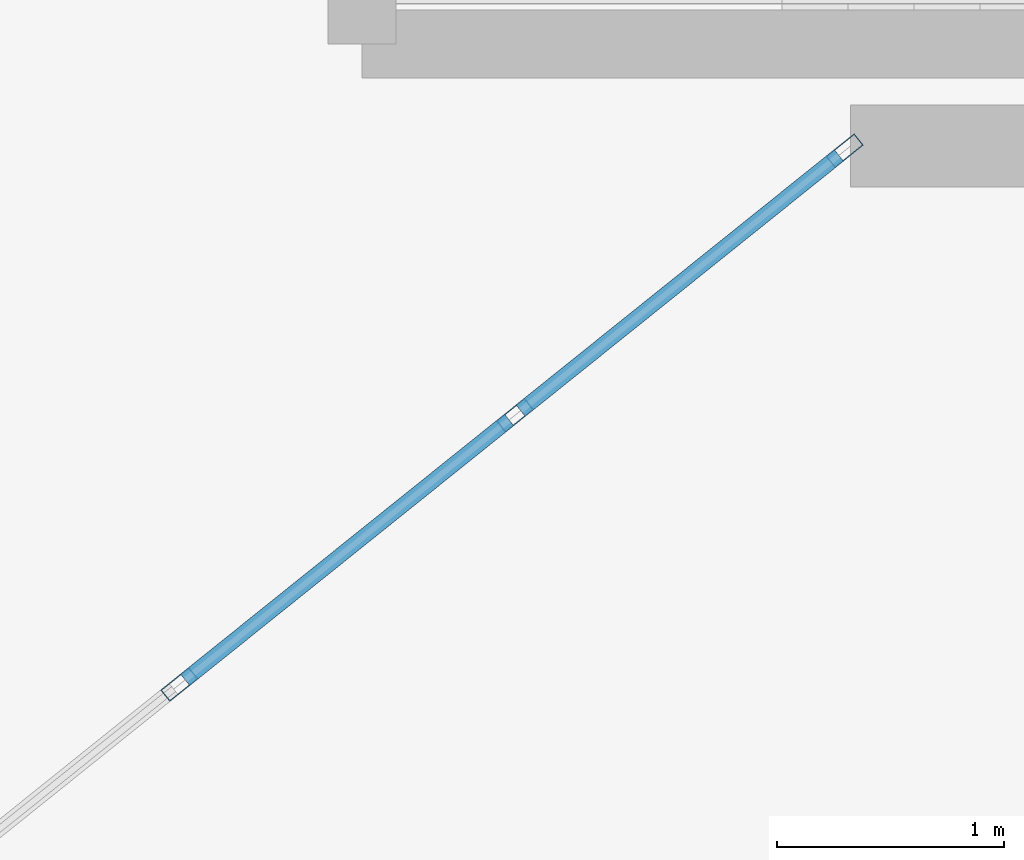
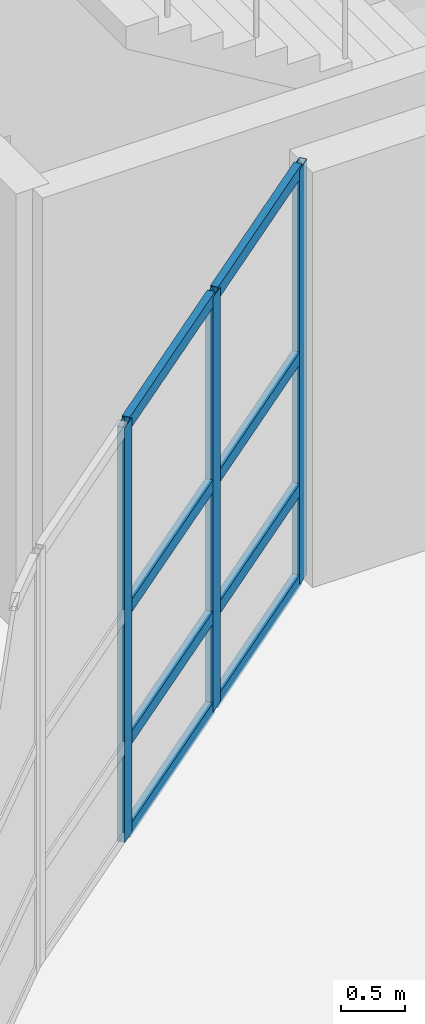
# One storey, part 50 of 114: 11 members, 1 element without a shape of its own.
"""IFC4 building model written with IfcOpenShell, lengths in metres."""

from ifc_helpers import new_model, si_unit, direction, frame, origin, origin_2d, place, context, subcontext, project, spatial, hollow_rectangle, extrude, material, layer, layer_set, material_profile, profile_set, type_object, element, aggregate, save


model = new_model("IFC4")

# Units and contexts
model_context = context("Model", 3, precision=1e-05, world=origin(), true_north=direction((0.0, 1.0)))
body_context = subcontext(model_context, "Body", "Model", "MODEL_VIEW")
ifc_project = project(units=[si_unit("LENGTHUNIT", "METRE"), si_unit("AREAUNIT", "SQUARE_METRE"), si_unit("VOLUMEUNIT", "CUBIC_METRE"), si_unit("PLANEANGLEUNIT", "RADIAN"), si_unit("MASSUNIT", "GRAM", prefix="KILO")], contexts=[model_context])

# Site, building, storey
site_placement = place(None, origin())
site = spatial("IfcSite", under=ifc_project, at=site_placement, CompositionType="ELEMENT")
building_placement = place(site_placement, origin())
building = spatial("IfcBuilding", under=site, at=building_placement, Name="Keldmere Railside Commons", CompositionType="ELEMENT")
storey_placement = place(building_placement, origin())
storey = spatial("IfcBuildingStorey", under=building, at=storey_placement, Name="L00", CompositionType="ELEMENT", Elevation=0.0)

# Curtain wall, members
ifc_material = material(Name="Thermally Broken Aluminium", Category="aluminium")
ifc_layer = layer(ifc_material, 0.159912109375, Name="Residential Ground Entrance Lobby CW 4000x3600")
ifc_layer_set = layer_set([ifc_layer], Name="Thermally Broken Aluminium")
curtain_wall_type = type_object("IfcCurtainWallType", Name="Residential Ground Entrance Lobby CW 4000x3600", PredefinedType="NOTDEFINED", material=ifc_layer_set)
curtain_wall_placement = place(storey_placement, origin())
curtain_wall = element("IfcCurtainWall", 1, at=curtain_wall_placement, inside=storey, type_object=curtain_wall_type, Name="CW-10 CW-L00-087", PredefinedType="NOTDEFINED")
ifc_material_profile_1 = material_profile(ifc_material, hollow_rectangle(XDim=0.06494140625, YDim=0.159912109375, WallThickness=0.00390625, at=origin_2d()), Name="ALU-MULL-65x160")
ifc_profile_set_1 = profile_set([ifc_material_profile_1], Name="Thermally Broken Aluminium")
member_type_1 = type_object("IfcMemberType", Name="Unitised Curtain Wall Mullion 65x160", PredefinedType="MULLION", material=ifc_profile_set_1)
member_1_placement = place(storey_placement, frame((131.974609375, 99.979736328125, 0.0), z_axis=(0.0, 0.0, 1.0), x_axis=(0.625768080915, -0.780009172323, 0.0)))
member_1 = element("IfcMember", 2, at=member_1_placement, type_object=member_type_1, Name="CW-10 mullion 1", PredefinedType="MULLION", context=body_context, shape_type="SweptSolid", body=[
    extrude(hollow_rectangle(XDim=0.06494140625, YDim=0.159912109375, WallThickness=0.00390625, at=origin_2d()), origin(), (0.0, 0.0, 1.0), 3.93994140625),
])
member_2_placement = place(storey_placement, frame((130.5234375, 98.8154296875, 0.0), z_axis=(0.0, 0.0, 1.0), x_axis=(0.625768080915, -0.780009172323, 0.0)))
member_2 = element("IfcMember", 3, at=member_2_placement, type_object=member_type_1, Name="CW-10 mullion 2", PredefinedType="MULLION", context=body_context, shape_type="SweptSolid", body=[
    extrude(hollow_rectangle(XDim=0.06494140625, YDim=0.159912109375, WallThickness=0.00390625, at=origin_2d()), origin(), (0.0, 0.0, 1.0), 3.93994140625),
])
member_3_placement = place(storey_placement, frame((129.046630859375, 97.630615234375, 0.0), z_axis=(0.0, 0.0, 1.0), x_axis=(0.625768080915, -0.780009172323, 0.0)))
member_3 = element("IfcMember", 4, at=member_3_placement, type_object=member_type_1, Name="CW-10 mullion 3", PredefinedType="MULLION", context=body_context, shape_type="SweptSolid", body=[
    extrude(hollow_rectangle(XDim=0.06494140625, YDim=0.159912109375, WallThickness=0.00390625, at=origin_2d()), origin(), (0.0, 0.0, 1.0), 3.93994140625),
])
ifc_material_profile_2 = material_profile(ifc_material, hollow_rectangle(XDim=0.06494140625, YDim=0.1201171875, WallThickness=0.00390625, at=origin_2d()), Name="ALU-TRAN-65x120")
ifc_profile_set_2 = profile_set([ifc_material_profile_2], Name="Thermally Broken Aluminium")
member_type_2 = type_object("IfcMemberType", Name="Unitised Curtain Wall Transom 65x120", PredefinedType="USERDEFINED", material=ifc_profile_set_2)
member_4_placement = place(storey_placement, frame((131.94921875, 99.959228515625, 0.032470703125), z_axis=(-0.780045694992, -0.625722553313, 0.0), x_axis=(0.625722553313, -0.780045694992, 0.0)))
member_4 = element("IfcMember", 5, at=member_4_placement, type_object=member_type_2, Name="CW-10 transom 1.1", ObjectType="TRANSOM", PredefinedType="USERDEFINED", context=body_context, shape_type="SweptSolid", body=[
    extrude(hollow_rectangle(XDim=0.06494140625, YDim=0.1201171875, WallThickness=0.00390625, at=origin_2d()), origin(), (0.0, 0.0, 1.0), 1.795654296875),
])
member_5_placement = place(storey_placement, frame((131.94921875, 99.959228515625, 0.89990234375), z_axis=(-0.780045694992, -0.625722553313, 0.0), x_axis=(0.625722553313, -0.780045694992, 0.0)))
member_5 = element("IfcMember", 6, at=member_5_placement, type_object=member_type_2, Name="CW-10 transom 1.2", ObjectType="TRANSOM", PredefinedType="USERDEFINED", context=body_context, shape_type="SweptSolid", body=[
    extrude(hollow_rectangle(XDim=0.06494140625, YDim=0.1201171875, WallThickness=0.00390625, at=origin_2d()), origin(), (0.0, 0.0, 1.0), 1.795654296875),
])
member_6_placement = place(storey_placement, frame((131.94921875, 99.959228515625, 2.14990234375), z_axis=(-0.780045694992, -0.625722553313, 0.0), x_axis=(0.625722553313, -0.780045694992, 0.0)))
member_6 = element("IfcMember", 7, at=member_6_placement, type_object=member_type_2, Name="CW-10 transom 1.3", ObjectType="TRANSOM", PredefinedType="USERDEFINED", context=body_context, shape_type="SweptSolid", body=[
    extrude(hollow_rectangle(XDim=0.06494140625, YDim=0.1201171875, WallThickness=0.00390625, at=origin_2d()), origin(), (0.0, 0.0, 1.0), 1.795654296875),
])
member_7_placement = place(storey_placement, frame((131.94921875, 99.959228515625, 3.907470703125), z_axis=(-0.780045694992, -0.625722553313, 0.0), x_axis=(0.625722553313, -0.780045694992, 0.0)))
member_7 = element("IfcMember", 8, at=member_7_placement, type_object=member_type_2, Name="CW-10 transom 1.4", ObjectType="TRANSOM", PredefinedType="USERDEFINED", context=body_context, shape_type="SweptSolid", body=[
    extrude(hollow_rectangle(XDim=0.06494140625, YDim=0.1201171875, WallThickness=0.00390625, at=origin_2d()), origin(), (0.0, 0.0, 1.0), 1.795654296875),
])
member_8_placement = place(storey_placement, frame((130.498046875, 98.794921875, 0.032470703125), z_axis=(-0.78007338409, -0.625688033635, 0.0), x_axis=(0.625688033635, -0.78007338409, 0.0)))
member_8 = element("IfcMember", 9, at=member_8_placement, type_object=member_type_2, Name="CW-10 transom 2.1", ObjectType="TRANSOM", PredefinedType="USERDEFINED", context=body_context, shape_type="SweptSolid", body=[
    extrude(hollow_rectangle(XDim=0.06494140625, YDim=0.1201171875, WallThickness=0.00390625, at=origin_2d()), origin(), (0.0, 0.0, 1.0), 1.828125),
])
member_9_placement = place(storey_placement, frame((130.498046875, 98.794921875, 0.89990234375), z_axis=(-0.78007338409, -0.625688033635, 0.0), x_axis=(0.625688033635, -0.78007338409, 0.0)))
member_9 = element("IfcMember", 10, at=member_9_placement, type_object=member_type_2, Name="CW-10 transom 2.2", ObjectType="TRANSOM", PredefinedType="USERDEFINED", context=body_context, shape_type="SweptSolid", body=[
    extrude(hollow_rectangle(XDim=0.06494140625, YDim=0.1201171875, WallThickness=0.00390625, at=origin_2d()), origin(), (0.0, 0.0, 1.0), 1.828125),
])
member_10_placement = place(storey_placement, frame((130.498046875, 98.794921875, 2.14990234375), z_axis=(-0.78007338409, -0.625688033635, 0.0), x_axis=(0.625688033635, -0.78007338409, 0.0)))
member_10 = element("IfcMember", 11, at=member_10_placement, type_object=member_type_2, Name="CW-10 transom 2.3", ObjectType="TRANSOM", PredefinedType="USERDEFINED", context=body_context, shape_type="SweptSolid", body=[
    extrude(hollow_rectangle(XDim=0.06494140625, YDim=0.1201171875, WallThickness=0.00390625, at=origin_2d()), origin(), (0.0, 0.0, 1.0), 1.828125),
])
member_11_placement = place(storey_placement, frame((130.498046875, 98.794921875, 3.907470703125), z_axis=(-0.78007338409, -0.625688033635, 0.0), x_axis=(0.625688033635, -0.78007338409, 0.0)))
member_11 = element("IfcMember", 12, at=member_11_placement, type_object=member_type_2, Name="CW-10 transom 2.4", ObjectType="TRANSOM", PredefinedType="USERDEFINED", context=body_context, shape_type="SweptSolid", body=[
    extrude(hollow_rectangle(XDim=0.06494140625, YDim=0.1201171875, WallThickness=0.00390625, at=origin_2d()), origin(), (0.0, 0.0, 1.0), 1.828125),
])
aggregate(curtain_wall, [member_1, member_2, member_3, member_4, member_5, member_6, member_7, member_8, member_9, member_10, member_11])

save(model, "model.ifc")
